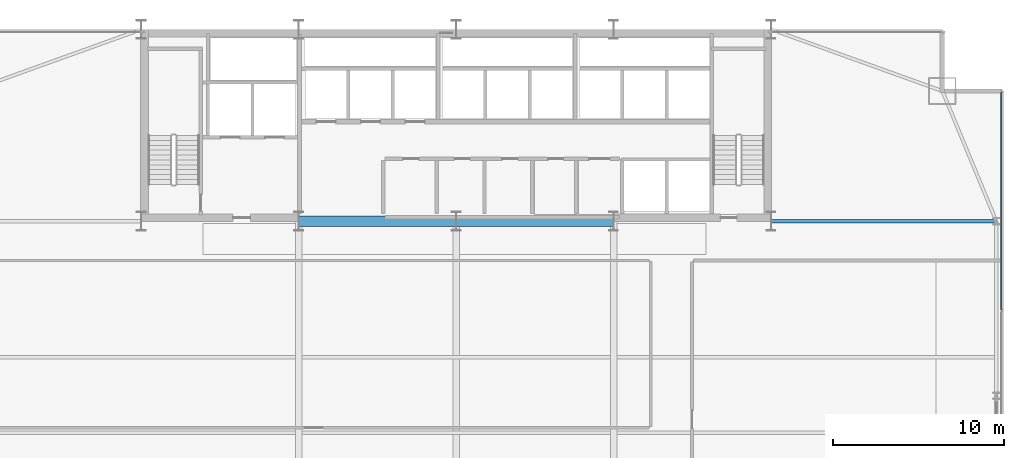
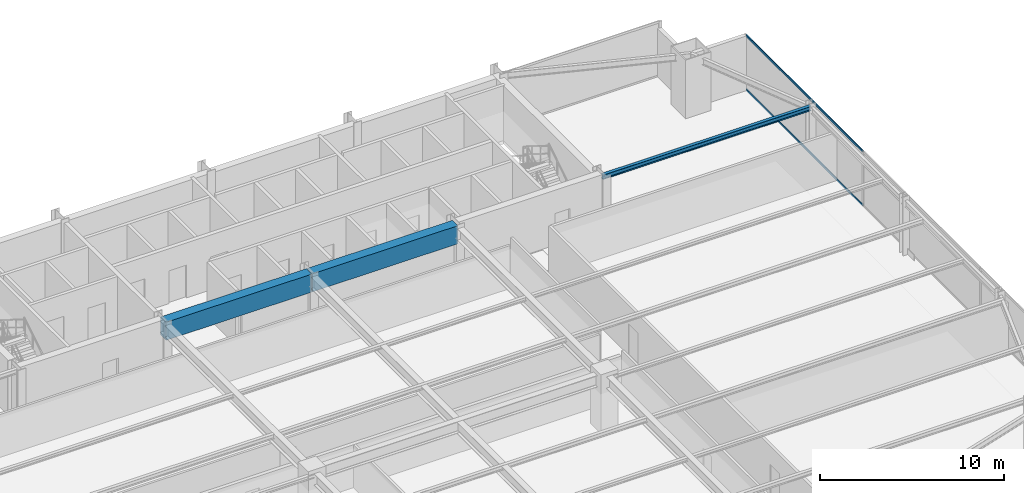
# One storey, part 21 of 31: 3 beams, 2 members, 1 element without a shape of its own.
"""IFC4 building model written with IfcOpenShell, lengths in metres."""

from ifc_helpers import new_model, si_unit, direction, frame, origin, origin_2d, place, context, subcontext, project, spatial, rectangle, hollow_rectangle, i_section, extrude, source, transform, mapped, material, layer, layer_set, material_profile, profile_set, type_object, type_shapes, element, aggregate, save


model = new_model("IFC4")

# Units and contexts
model_context = context("Model", 3, precision=1e-05, world=origin(), true_north=direction((0.0, 1.0)))
body_context = subcontext(model_context, "Body", "Model", "MODEL_VIEW")
ifc_project = project(units=[si_unit("LENGTHUNIT", "METRE"), si_unit("AREAUNIT", "SQUARE_METRE"), si_unit("VOLUMEUNIT", "CUBIC_METRE"), si_unit("PLANEANGLEUNIT", "RADIAN"), si_unit("MASSUNIT", "GRAM", prefix="KILO")], contexts=[model_context])

# Site, building, storey
site_placement = place(None, origin())
site = spatial("IfcSite", under=ifc_project, at=site_placement, CompositionType="ELEMENT")
building_placement = place(site_placement, origin())
building = spatial("IfcBuilding", under=site, at=building_placement, Name="Varnel Quay Broadcast Tower", CompositionType="ELEMENT")
storey_placement = place(building_placement, frame((0.0, 0.0, 51.0)))
storey = spatial("IfcBuildingStorey", under=building, at=storey_placement, Name="L11", CompositionType="ELEMENT", Elevation=51.0)

# Beams
ifc_material_1 = material(Name="Concrete CSA A23.3 C60/75", Category="concrete")
ifc_material_profile_1 = material_profile(ifc_material_1, rectangle(XDim=0.60009765625, YDim=1.199951171875, at=origin_2d()), Name="RC600X1200")
ifc_profile_set_1 = profile_set([ifc_material_profile_1], Name="Concrete CSA A23.3 C60/75")
beam_type_1 = type_object("IfcBeamType", Name="Beam_RC600X1200", PredefinedType="BEAM", material=ifc_profile_set_1)
shared_shape_1 = source(origin(), body_context, "Body", "SweptSolid", [
    extrude(rectangle(XDim=0.60009765625, YDim=1.199951171875, at=origin_2d()), origin(), (0.0, 0.0, 1.0), 9.159912109375),
])
type_shapes(beam_type_1, [shared_shape_1])
for number, where, z_axis, x_axis, name in (
    (1, (24.820068359375, 35.60009765625, 3.050048828125), (1.0, 0.0, 0.0), (0.0, 1.0, 0.0), "L11 Core Coupling Beam W"),
    (2, (34.02001953125, 35.60009765625, 3.050048828125), (1.0, 0.0, 0.0), (0.0, 1.0, 0.0), "L11 Core Coupling Beam E"),
):
    element("IfcBeam", number, at=place(storey_placement, frame(where, z_axis=z_axis, x_axis=x_axis)), inside=storey, type_object=beam_type_1, Name=name, PredefinedType="BEAM", context=body_context, shape_type="MappedRepresentation", body=[
        mapped(shared_shape_1, transform((0.0, 0.0, 0.0), x_axis=(1.0, 0.0, 0.0), y_axis=(0.0, 1.0, 0.0), z_axis=(0.0, 0.0, 1.0), scale=1.0)),
    ])
ifc_material_2 = material(Name="Structural Steel CSA G40.21 350W", Category="steel")
ifc_material_profile_2 = material_profile(ifc_material_2, i_section(OverallWidth=0.202880859375, OverallDepth=0.302978515625, WebThickness=0.007568359375, FlangeThickness=0.01318359375, FilletRadius=0.011962890625, at=origin_2d()), Name="W310X60")
ifc_profile_set_2 = profile_set([ifc_material_profile_2], Name="Structural Steel CSA G40.21 350W")
beam_type_2 = type_object("IfcBeamType", Name="Beam_W310X60", PredefinedType="JOIST", material=ifc_profile_set_2)
shared_shape_2 = source(origin(), body_context, "Body", "SweptSolid", [
    extrude(i_section(OverallWidth=0.202880859375, OverallDepth=0.302978515625, WebThickness=0.007568359375, FlangeThickness=0.01318359375, FilletRadius=0.011962890625, at=origin_2d()), origin(), (0.0, 0.0, 1.0), 13.110107421875),
])
type_shapes(beam_type_2, [shared_shape_2])
beam_placement = place(storey_placement, frame((52.419921875, 35.60009765625, 3.49853515625), z_axis=(1.0, 0.0, 0.0), x_axis=(0.0, 1.0, 0.0)))
element("IfcBeam", 3, at=beam_placement, inside=storey, type_object=beam_type_2, Name="L11 East Core Tie Joist", PredefinedType="JOIST", context=body_context, shape_type="MappedRepresentation", body=[
    mapped(shared_shape_2, transform((0.0, 0.0, 0.0), x_axis=(1.0, 0.0, 0.0), y_axis=(0.0, 1.0, 0.0), z_axis=(0.0, 0.0, 1.0), scale=1.0)),
])

# Curtain wall, members
ifc_material_3 = material(Name="Anodised Bronze Aluminium 6063-T6", Category="aluminium")
ifc_layer = layer(ifc_material_3, 0.18994140625, Name="Anodised Bronze Aluminium 6063-T6")
ifc_layer_set = layer_set([ifc_layer], Name="Anodised Bronze Aluminium 6063-T6")
curtain_wall_type = type_object("IfcCurtainWallType", Name="CW_LowerTower", PredefinedType="NOTDEFINED", material=ifc_layer_set)
curtain_wall_placement = place(storey_placement, origin())
curtain_wall = element("IfcCurtainWall", 4, at=curtain_wall_placement, inside=storey, type_object=curtain_wall_type, Name="L11 East Unitised Curtain Wall", PredefinedType="NOTDEFINED")
ifc_material_profile_3 = material_profile(ifc_material_3, hollow_rectangle(XDim=0.06005859375, YDim=0.14501953125, WallThickness=0.00341796875, at=origin_2d()), Name="ALU60X145X3.5")
ifc_profile_set_3 = profile_set([ifc_material_profile_3], Name="Anodised Bronze Aluminium 6063-T6")
member_type = type_object("IfcMemberType", Name="Tran_CWS-02", PredefinedType="USERDEFINED", material=ifc_profile_set_3)
shared_shape_3 = source(origin(), body_context, "Body", "SweptSolid", [
    extrude(hollow_rectangle(XDim=0.06005859375, YDim=0.14501953125, WallThickness=0.00341796875, at=origin_2d()), origin(), (0.0, 0.0, 1.0), 12.69482421875),
])
type_shapes(member_type, [shared_shape_3])
member_1_placement = place(storey_placement, frame((65.85009765625, 30.43505859375, 0.030029296875), z_axis=(0.0, 1.0, 0.0), x_axis=(-1.0, 0.0, 0.0)))
member_1 = element("IfcMember", 5, at=member_1_placement, type_object=member_type, Name="CWS-02 transom 3.1", ObjectType="TRANSOM", PredefinedType="USERDEFINED", context=body_context, shape_type="MappedRepresentation", body=[
    mapped(shared_shape_3, transform((0.0, 0.0, 0.0), x_axis=(1.0, 0.0, 0.0), y_axis=(0.0, 1.0, 0.0), z_axis=(0.0, 0.0, 1.0), scale=1.0)),
])
member_2_placement = place(storey_placement, frame((65.85009765625, 30.43505859375, 3.6201171875), z_axis=(0.0, 1.0, 0.0), x_axis=(-1.0, 0.0, 0.0)))
member_2 = element("IfcMember", 6, at=member_2_placement, type_object=member_type, Name="CWS-02 transom 3.2", ObjectType="TRANSOM", PredefinedType="USERDEFINED", context=body_context, shape_type="MappedRepresentation", body=[
    mapped(shared_shape_3, transform((0.0, 0.0, 0.0), x_axis=(1.0, 0.0, 0.0), y_axis=(0.0, 1.0, 0.0), z_axis=(0.0, 0.0, 1.0), scale=1.0)),
])
aggregate(curtain_wall, [member_1, member_2])

save(model, "model.ifc")
